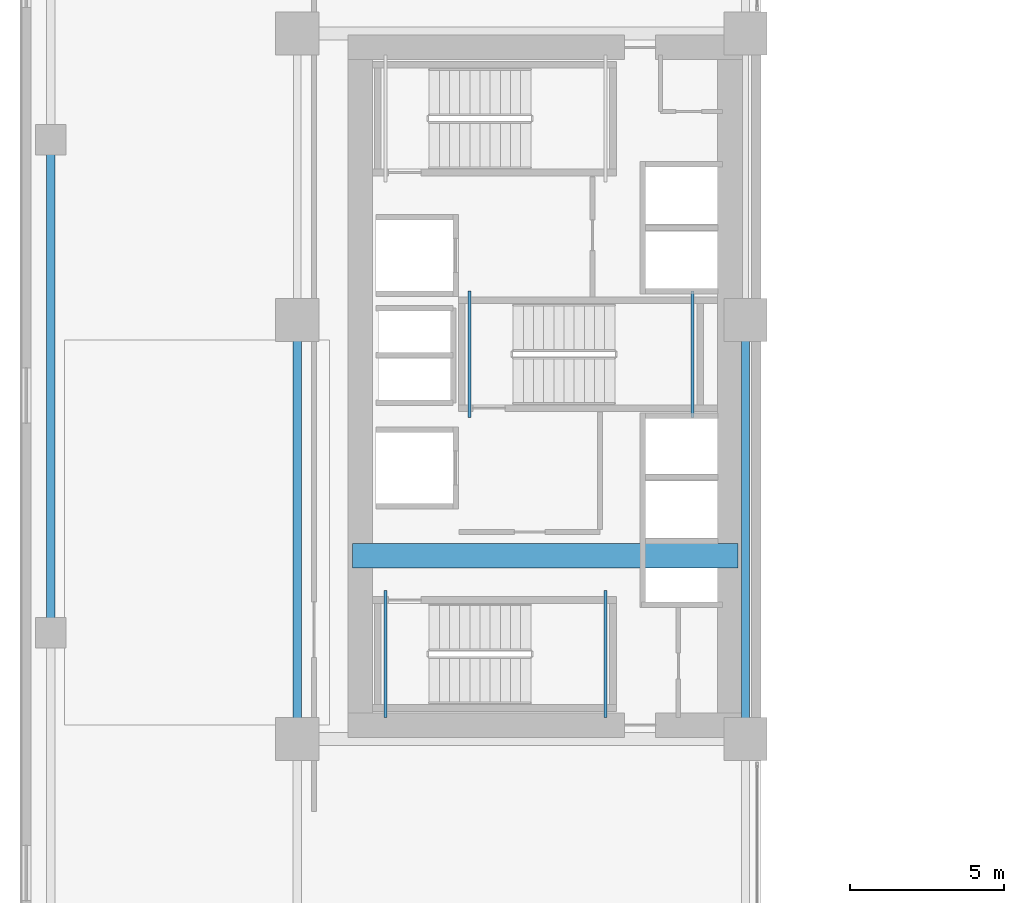
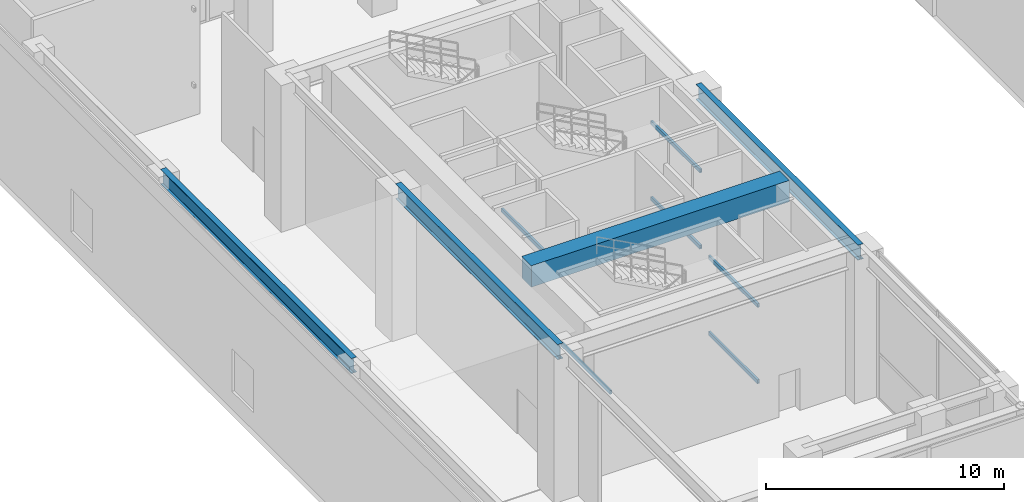
# One storey, part 7 of 29: 10 beams.
"""IFC4 building model written with IfcOpenShell, lengths in metres."""

from ifc_helpers import new_model, si_unit, direction, frame, origin, origin_2d, place, context, subcontext, project, spatial, rectangle, hollow_rectangle, i_section, extrude, source, transform, mapped, material, material_profile, profile_set, type_object, element, save


model = new_model("IFC4")

# Units and contexts
model_context = context("Model", 3, precision=1e-05, world=origin(), true_north=direction((0.0, 1.0)))
body_context = subcontext(model_context, "Body", "Model", "MODEL_VIEW")
ifc_project = project(units=[si_unit("LENGTHUNIT", "METRE"), si_unit("AREAUNIT", "SQUARE_METRE"), si_unit("VOLUMEUNIT", "CUBIC_METRE"), si_unit("PLANEANGLEUNIT", "RADIAN"), si_unit("MASSUNIT", "GRAM", prefix="KILO")], contexts=[model_context])

# Site, building, storey
site_placement = place(None, origin())
site = spatial("IfcSite", under=ifc_project, at=site_placement, CompositionType="ELEMENT")
building_placement = place(site_placement, origin())
building = spatial("IfcBuilding", under=site, at=building_placement, Name="Ocotamira Hotel", CompositionType="ELEMENT")
storey_placement = place(building_placement, frame((0.0, 0.0, 11.39990234375)))
storey = spatial("IfcBuildingStorey", under=building, at=storey_placement, Name="L03", CompositionType="ELEMENT", Elevation=11.39990234375)

# Beams
ifc_material_1 = material(Name="Concrete C60/75", Category="concrete")
ifc_material_profile_1 = material_profile(ifc_material_1, rectangle(XDim=0.800048828125, YDim=1.10009765625, at=origin_2d()), Name="RC800X1100")
ifc_profile_set_1 = profile_set([ifc_material_profile_1], Name="Concrete C60/75")
beam_type_1 = type_object("IfcBeamType", Name="BM-LINK-RC800", PredefinedType="LINTEL", material=ifc_profile_set_1)
shared_shape_1 = source(origin(), body_context, "Body", "SweptSolid", [
    extrude(rectangle(XDim=0.800048828125, YDim=1.10009765625, at=origin_2d()), origin(), (0.0, 0.0, 1.0), 12.5),
])
beam_1_placement = place(storey_placement, frame((10.75, 20.5, 6.960205078125), z_axis=(1.0, 0.0, 0.0), x_axis=(0.0, 1.0, 0.0)))
element("IfcBeam", 1, at=beam_1_placement, inside=storey, type_object=beam_type_1, Name="L03 West Core Coupling Beam", PredefinedType="LINTEL", context=body_context, shape_type="MappedRepresentation", body=[
    mapped(shared_shape_1, transform((0.0, 0.0, 0.0), scale=1.0)),
])
ifc_material_2 = material(Name="Steel ASTM A500 Grade C", Category="steel")
ifc_material_profile_2 = material_profile(ifc_material_2, hollow_rectangle(XDim=0.10009765625, YDim=0.199951171875, WallThickness=0.008056640625, at=origin_2d()), Name="HSS200X100X8")
ifc_profile_set_2 = profile_set([ifc_material_profile_2], Name="Steel ASTM A500 Grade C")
beam_type_2 = type_object("IfcBeamType", Name="BM-STLDG-HSS200", PredefinedType="BEAM", material=ifc_profile_set_2)
shared_shape_2 = source(origin(), body_context, "Body", "SweptSolid", [
    extrude(hollow_rectangle(XDim=0.10009765625, YDim=0.199951171875, WallThickness=0.008056640625, at=origin_2d()), origin(), (0.0, 0.0, 1.0), 4.1201171875),
])
for number, where, z_axis, x_axis, name in (
    (2, (18.949951171875, 15.25, 1.650146484375), (0.0, 1.0, 0.0), (-1.0, 0.0, 0.0), "L03 Stair ST-1 Landing Bearer 1"),
    (3, (11.81005859375, 15.25, 3.60009765625), (0.0, 1.0, 0.0), (-1.0, 0.0, 0.0), "L03 Stair ST-1 Landing Bearer 2"),
    (4, (18.949951171875, 15.25, 5.550048828125), (0.0, 1.0, 0.0), (-1.0, 0.0, 0.0), "L03 Stair ST-1 Landing Bearer 3"),
    (5, (21.780029296875, 24.97998046875, 1.650146484375), (0.0, 1.0, 0.0), (-1.0, 0.0, 0.0), "L03 Stair ST-3 Landing Bearer 1"),
    (6, (14.5400390625, 24.97998046875, 3.60009765625), (0.0, 1.0, 0.0), (-1.0, 0.0, 0.0), "L03 Stair ST-3 Landing Bearer 2"),
    (7, (21.780029296875, 24.97998046875, 5.550048828125), (0.0, 1.0, 0.0), (-1.0, 0.0, 0.0), "L03 Stair ST-3 Landing Bearer 3"),
):
    element("IfcBeam", number, at=place(storey_placement, frame(where, z_axis=z_axis, x_axis=x_axis)), inside=storey, type_object=beam_type_2, Name=name, PredefinedType="BEAM", context=body_context, shape_type="MappedRepresentation", body=[
        mapped(shared_shape_2, transform((0.0, 0.0, 0.0), scale=1.0)),
    ])
ifc_material_3 = material(Name="Steel ASTM A992 Grade 50", Category="steel")
ifc_material_profile_3 = material_profile(ifc_material_3, i_section(OverallWidth=0.26611328125, OverallDepth=0.779052734375, WebThickness=0.0166015625, FlangeThickness=0.030029296875, FilletRadius=0.01806640625, at=origin_2d()), Name="W30X148")
ifc_profile_set_3 = profile_set([ifc_material_profile_3], Name="Steel ASTM A992 Grade 50")
beam_type_3 = type_object("IfcBeamType", Name="BM-GIRD-W30X148", PredefinedType="BEAM", material=ifc_profile_set_3)
shared_shape_3 = source(origin(), body_context, "Body", "SweptSolid", [
    extrude(i_section(OverallWidth=0.26611328125, OverallDepth=0.779052734375, WebThickness=0.0166015625, FlangeThickness=0.030029296875, FilletRadius=0.01806640625, at=origin_2d()), origin(), (0.0, 0.0, 1.0), 16.0),
])
beam_2_placement = place(storey_placement, frame((0.949951171875, 18.0, 7.12060546875), z_axis=(0.0, 1.0, 0.0), x_axis=(-1.0, 0.0, 0.0)))
element("IfcBeam", 8, at=beam_2_placement, inside=storey, type_object=beam_type_3, Name="L03 Beam X0.95 Y18-34", PredefinedType="BEAM", context=body_context, shape_type="MappedRepresentation", body=[
    mapped(shared_shape_3, transform((0.0, 0.0, 0.0), scale=1.0)),
])
shared_shape_4 = source(origin(), body_context, "Body", "SweptSolid", [
    extrude(i_section(OverallWidth=0.26611328125, OverallDepth=0.779052734375, WebThickness=0.0166015625, FlangeThickness=0.030029296875, FilletRadius=0.01806640625, at=origin_2d()), origin(), (0.0, 0.0, 1.0), 13.599853515625),
])
for number, where, z_axis, x_axis, name in (
    (9, (8.949951171875, 14.550048828125, 7.12060546875), (0.0, 1.0, 0.0), (-1.0, 0.0, 0.0), "L03 Beam X8.95 Y14.55-28.15"),
    (10, (23.5, 14.550048828125, 7.12060546875), (0.0, 1.0, 0.0), (-1.0, 0.0, 0.0), "L03 Beam X23.5 Y14.55-28.15"),
):
    element("IfcBeam", number, at=place(storey_placement, frame(where, z_axis=z_axis, x_axis=x_axis)), inside=storey, type_object=beam_type_3, Name=name, PredefinedType="BEAM", context=body_context, shape_type="MappedRepresentation", body=[
        mapped(shared_shape_4, transform((0.0, 0.0, 0.0), scale=1.0)),
    ])

save(model, "model.ifc")
